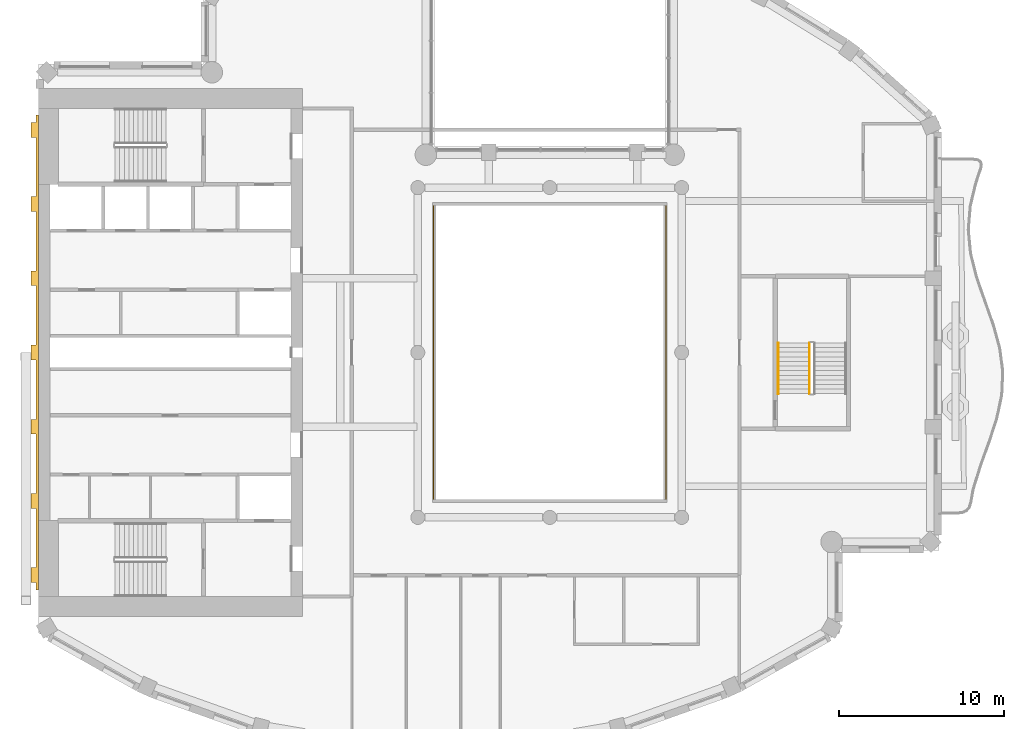
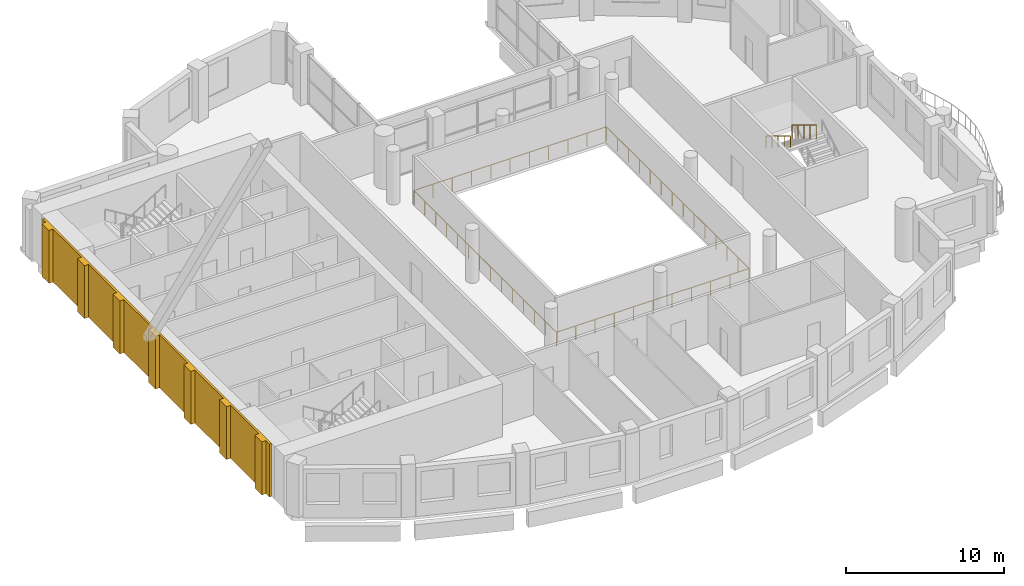
# One storey, part 12 of 15: 3 railings, 1 covering.
"""IFC4 building model written with IfcOpenShell, lengths in metres."""

import ifcopenshell
import ifcopenshell.guid

model = None  # the IFC model being written
_history = None  # IfcOwnerHistory: only IFC2X3 demands one
_inside = {}  # id of a spatial element -> (the spatial element, [elements in it])
_under = {}  # id of a project, library or spatial element -> (it, [spatial elements below it])
_declared = {}  # id of a project -> (the project, [libraries it declares])
_typed = {}  # id of a type object -> (the type object, [elements of that type])
_made_of = {}  # id of a material, layer set ... -> (it, [elements and type objects made of it])


def new_model(schema):
    """Start an empty IFC model of exactly this schema.

    Asked for "IFC4X3", IfcOpenShell would pick the latest addendum, in which some entities
    have other attributes; the version numbers below select the first issue.
    IFC2X3 requires an IfcOwnerHistory on every rooted entity: one is made here for all.
    """
    global model, _history
    if schema == "IFC4X3":
        model = ifcopenshell.file(schema_version=(4, 3, 0, 0))
    else:
        model = ifcopenshell.file(schema=schema)
    _inside.clear()
    _under.clear()
    _declared.clear()
    _typed.clear()
    _made_of.clear()
    _history = None
    if model.schema == "IFC2X3":
        org = make("IfcOrganization", Name="unknown")
        user = make(
            "IfcPersonAndOrganization",
            ThePerson=make("IfcPerson", FamilyName="unknown"),
            TheOrganization=org,
        )
        app = make(
            "IfcApplication",
            ApplicationDeveloper=org,
            Version="unknown",
            ApplicationFullName="unknown",
            ApplicationIdentifier="unknown",
        )
        _history = make(
            "IfcOwnerHistory",
            OwningUser=user,
            OwningApplication=app,
            ChangeAction="ADDED",
            CreationDate=0,
        )
    return model


def make(cls, **values):
    """One entity of the class cls with the attributes given. An attribute that is None is left unset."""
    return model.create_entity(
        cls, **{name: value for name, value in values.items() if value is not None}
    )


def rooted(cls, **values):
    """An entity with a GlobalId (a new one), such as an element, a storey or a relation."""
    return make(cls, GlobalId=ifcopenshell.guid.new(), OwnerHistory=_history, **values)


def si_unit(unit_type, name, prefix=None):
    """IfcSIUnit, for example si_unit("LENGTHUNIT", "METRE", prefix="MILLI")."""
    return make("IfcSIUnit", UnitType=unit_type, Prefix=prefix, Name=name)


def assignment(units):
    """IfcUnitAssignment: the units of a project."""
    return None if units is None else make("IfcUnitAssignment", Units=units)


def point(xyz):
    """IfcCartesianPoint."""
    return None if xyz is None else make("IfcCartesianPoint", Coordinates=xyz)


def direction(xyz):
    """IfcDirection."""
    return None if xyz is None else make("IfcDirection", DirectionRatios=xyz)


def frame(location, z_axis=None, x_axis=None):
    """IfcAxis2Placement3D, a coordinate frame: its origin and axes. An axis left out is left unset."""
    return make(
        "IfcAxis2Placement3D",
        Location=point(location),
        Axis=direction(z_axis),
        RefDirection=direction(x_axis),
    )


def frame_2d(location, x_axis=None):
    """IfcAxis2Placement2D, a coordinate frame in the plane: its origin and x axis."""
    return make(
        "IfcAxis2Placement2D", Location=point(location), RefDirection=direction(x_axis)
    )


def origin():
    """The frame at (0, 0, 0) with its axes left unset."""
    return frame((0.0, 0.0, 0.0))


def origin_2d():
    """The frame at (0, 0) in the plane with its x axis left unset."""
    return frame_2d((0.0, 0.0))


def place(relative_to, where):
    """IfcLocalPlacement: puts the frame where relative to a parent placement (None: the world)."""
    return make(
        "IfcLocalPlacement", PlacementRelTo=relative_to, RelativePlacement=where
    )


def context(
    kind, dimensions, precision=None, world=None, true_north=None, identifier=None
):
    """IfcGeometricRepresentationContext, for example the 3D "Model" context."""
    return make(
        "IfcGeometricRepresentationContext",
        ContextIdentifier=identifier,
        ContextType=kind,
        CoordinateSpaceDimension=dimensions,
        Precision=precision,
        WorldCoordinateSystem=world,
        TrueNorth=true_north,
    )


def subcontext(parent, identifier, kind, view, scale=None):
    """IfcGeometricRepresentationSubContext, for example "Body" below "Model"."""
    return make(
        "IfcGeometricRepresentationSubContext",
        ContextIdentifier=identifier,
        ContextType=kind,
        ParentContext=parent,
        TargetScale=scale,
        TargetView=view,
    )


def project(units=None, contexts=None):
    """IfcProject with its units and contexts."""
    return rooted(
        "IfcProject",
        Name="project",
        RepresentationContexts=contexts,
        UnitsInContext=assignment(units),
    )


def spatial(cls, under=None, at=None, **own):
    """A site, building, storey or space (cls), placed at a placement, below another one or the project."""
    s = rooted(cls, ObjectPlacement=at, **own)
    if under is not None:
        _under.setdefault(under.id(), (under, []))[1].append(s)
    return s


def polyline(points):
    """IfcPolyline through the points."""
    return make("IfcPolyline", Points=[point(p) for p in points])


def profile(cls, at=None, kind="AREA", **sizes):
    """A parametric profile (cls). Its sizes go by their IFC names, for example OverallWidth=200.0."""
    return make(cls, ProfileType=kind, Position=at, **sizes)


def rectangle(**sizes):
    """IfcRectangleProfileDef."""
    return profile("IfcRectangleProfileDef", **sizes)


def outline(outer, holes=None, kind="AREA"):
    """IfcArbitraryClosedProfileDef: a profile drawn as a closed curve; with holes, ...WithVoids."""
    if holes is None:
        return make("IfcArbitraryClosedProfileDef", ProfileType=kind, OuterCurve=outer)
    return make(
        "IfcArbitraryProfileDefWithVoids",
        ProfileType=kind,
        OuterCurve=outer,
        InnerCurves=holes,
    )


def extrude(swept, where, along, depth):
    """IfcExtrudedAreaSolid: the profile swept, set in the frame where, extruded along a direction by depth."""
    return make(
        "IfcExtrudedAreaSolid",
        SweptArea=swept,
        Position=where,
        ExtrudedDirection=direction(along),
        Depth=depth,
    )


def shape(context_of_items, identifier, shape_type, items):
    """IfcShapeRepresentation: the items that make up one representation, for example the "Body"."""
    return make(
        "IfcShapeRepresentation",
        ContextOfItems=context_of_items,
        RepresentationIdentifier=identifier,
        RepresentationType=shape_type,
        Items=items,
    )


def material(Name=None, Category=None):
    """IfcMaterial."""
    return make("IfcMaterial", Name=Name, Category=Category)


def layer(
    of_material, thickness, ventilated=None, Name=None, Category=None, Priority=None
):
    """IfcMaterialLayer: one layer of a wall or slab, of a material (None: an air gap)."""
    return make(
        "IfcMaterialLayer",
        Material=of_material,
        LayerThickness=thickness,
        IsVentilated=ventilated,
        Name=Name,
        Category=Category,
        Priority=Priority,
    )


def layer_set(layers, Name=None):
    """IfcMaterialLayerSet."""
    return make("IfcMaterialLayerSet", MaterialLayers=layers, LayerSetName=Name)


def made_of(thing, what):
    """Note that an element or type object is made of a material, layer set ...; save() writes the relation."""
    if what is not None:
        _made_of.setdefault(what.id(), (what, []))[1].append(thing)
    return thing


def type_object(cls, material=None, **own):
    """A type object (cls), such as IfcWallType, which elements share."""
    return made_of(rooted(cls, **own), material)


def element(
    cls,
    number,
    at=None,
    inside=None,
    cuts=None,
    type_object=None,
    material=None,
    context=None,
    identifier="Body",
    shape_type=None,
    held_by="IfcProductDefinitionShape",
    body=None,
    shapes=None,
    **own,
):
    """One element of the class cls, such as IfcWall. Its Tag is "e" and its number.

    at: its placement. inside: the storey or other place that contains it. cuts: it is an
    opening in that element (IfcRelVoidsElement). A single representation is given by context,
    identifier, shape_type and body (its items); several are given by shapes. held_by: the class
    of the entity that holds the representations. save() writes the other relations.
    """
    e = rooted(cls, Tag="e%d" % number, ObjectPlacement=at, **own)
    if body is not None:
        shapes = [shape(context, identifier, shape_type, body)]
    if shapes is not None:
        e.Representation = make(held_by, Representations=shapes)
    if inside is not None:
        _inside.setdefault(inside.id(), (inside, []))[1].append(e)
    if cuts is not None:
        rooted(
            "IfcRelVoidsElement", RelatingBuildingElement=cuts, RelatedOpeningElement=e
        )
    if type_object is not None:
        _typed.setdefault(type_object.id(), (type_object, []))[1].append(e)
    return made_of(e, material)


def aggregate(whole, parts):
    """IfcRelAggregates: a whole, such as a stair, and the parts it consists of."""
    return rooted("IfcRelAggregates", RelatingObject=whole, RelatedObjects=parts)


def save(model, path):
    """Write the relations noted so far, then the file.

    IfcRelAggregates (storeys below a building ...), IfcRelContainedInSpatialStructure (elements
    in a storey), IfcRelDefinesByType, IfcRelAssociatesMaterial and IfcRelDeclares: one each for
    every whole, place, type object, material and project.
    """
    for whole, parts in _under.values():
        aggregate(whole, parts)
    for where, things in _inside.values():
        rooted(
            "IfcRelContainedInSpatialStructure",
            RelatedElements=things,
            RelatingStructure=where,
        )
    for kind, things in _typed.values():
        rooted("IfcRelDefinesByType", RelatedObjects=things, RelatingType=kind)
    for what, things in _made_of.values():
        rooted("IfcRelAssociatesMaterial", RelatedObjects=things, RelatingMaterial=what)
    for by, libraries in _declared.values():
        rooted("IfcRelDeclares", RelatingContext=by, RelatedDefinitions=libraries)
    model.write(path)


model = new_model("IFC4")

# Units and contexts
model_context = context("Model", 3, precision=1e-05, world=origin(), true_north=direction((0.0, 1.0)))
body_context = subcontext(model_context, "Body", "Model", "MODEL_VIEW")
ifc_project = project(units=[si_unit("LENGTHUNIT", "METRE"), si_unit("AREAUNIT", "SQUARE_METRE"), si_unit("VOLUMEUNIT", "CUBIC_METRE"), si_unit("PLANEANGLEUNIT", "RADIAN"), si_unit("MASSUNIT", "GRAM", prefix="KILO")], contexts=[model_context])

# Site, building, storey
site_placement = place(None, origin())
site = spatial("IfcSite", under=ifc_project, at=site_placement, CompositionType="ELEMENT")
building_placement = place(site_placement, origin())
building = spatial("IfcBuilding", under=site, at=building_placement, Name="Cypress Arch Tower", CompositionType="ELEMENT")
storey_placement = place(building_placement, frame((0.0, 0.0, 259.800048828125)))
storey = spatial("IfcBuildingStorey", under=building, at=storey_placement, Name="L58", CompositionType="ELEMENT", Elevation=259.800048828125)

# Railings
ifc_material_1 = material(Name="Stainless steel posts and handrail, laminated glass infill", Category="steel")
railing_type_1 = type_object("IfcRailingType", Name="Atrium guard GR1100A", PredefinedType="GUARDRAIL", material=ifc_material_1)
railing_1_placement = place(storey_placement, frame((8.050048828125, -9.050048828125, 0.0)))
element("IfcRailing", 1, at=railing_1_placement, inside=storey, type_object=railing_type_1, Name="Atrium guard L58", PredefinedType="GUARDRAIL", context=body_context, shape_type="SweptSolid", body=[
    extrude(rectangle(XDim=0.050048828125, YDim=0.050048828125, at=origin_2d()), frame((0.0, 0.0, 1.0751953125), z_axis=(-1.0, 0.0, 0.0), x_axis=(0.0, -1.0, 0.0)), (0.0, 0.0, 1.0), 14.10009765625),
    extrude(rectangle(XDim=0.050048828125, YDim=0.050048828125, at=origin_2d()), frame((-14.10009765625, 0.0, 1.0751953125), z_axis=(0.0, 1.0, 0.0), x_axis=(-1.0, 0.0, 0.0)), (0.0, 0.0, 1.0), 18.10009765625),
    extrude(rectangle(XDim=0.050048828125, YDim=0.050048828125, at=origin_2d()), frame((-14.10009765625, 18.10009765625, 1.0751953125), z_axis=(1.0, 0.0, 0.0), x_axis=(0.0, 1.0, 0.0)), (0.0, 0.0, 1.0), 14.10009765625),
    extrude(rectangle(XDim=0.050048828125, YDim=0.050048828125, at=origin_2d()), frame((0.0, 18.10009765625, 1.0751953125), z_axis=(0.0, -1.0, 0.0), x_axis=(1.0, 0.0, 0.0)), (0.0, 0.0, 1.0), 18.10009765625),
    extrude(rectangle(XDim=0.050048828125, YDim=0.050048828125, at=origin_2d()), origin(), (0.0, 0.0, 1.0), 1.050048828125),
    extrude(rectangle(XDim=0.050048828125, YDim=0.050048828125, at=origin_2d()), frame((-1.409912109375, 0.0, 0.0)), (0.0, 0.0, 1.0), 1.050048828125),
    extrude(rectangle(XDim=0.050048828125, YDim=0.050048828125, at=origin_2d()), frame((-2.820068359375, 0.0, 0.0)), (0.0, 0.0, 1.0), 1.050048828125),
    extrude(rectangle(XDim=0.050048828125, YDim=0.050048828125, at=origin_2d()), frame((-4.22998046875, 0.0, 0.0)), (0.0, 0.0, 1.0), 1.050048828125),
    extrude(rectangle(XDim=0.050048828125, YDim=0.050048828125, at=origin_2d()), frame((-5.64013671875, 0.0, 0.0)), (0.0, 0.0, 1.0), 1.050048828125),
    extrude(rectangle(XDim=0.050048828125, YDim=0.050048828125, at=origin_2d()), frame((-7.050048828125, 0.0, 0.0)), (0.0, 0.0, 1.0), 1.050048828125),
    extrude(rectangle(XDim=0.050048828125, YDim=0.050048828125, at=origin_2d()), frame((-8.4599609375, 0.0, 0.0)), (0.0, 0.0, 1.0), 1.050048828125),
    extrude(rectangle(XDim=0.050048828125, YDim=0.050048828125, at=origin_2d()), frame((-9.8701171875, 0.0, 0.0)), (0.0, 0.0, 1.0), 1.050048828125),
    extrude(rectangle(XDim=0.050048828125, YDim=0.050048828125, at=origin_2d()), frame((-11.280029296875, 0.0, 0.0)), (0.0, 0.0, 1.0), 1.050048828125),
    extrude(rectangle(XDim=0.050048828125, YDim=0.050048828125, at=origin_2d()), frame((-12.690185546875, 0.0, 0.0)), (0.0, 0.0, 1.0), 1.050048828125),
    extrude(rectangle(XDim=0.050048828125, YDim=0.050048828125, at=origin_2d()), frame((-14.10009765625, 0.0, 0.0)), (0.0, 0.0, 1.0), 1.050048828125),
    extrude(rectangle(XDim=0.050048828125, YDim=0.050048828125, at=origin_2d()), frame((-14.10009765625, 1.392333984375, 0.0)), (0.0, 0.0, 1.0), 1.050048828125),
    extrude(rectangle(XDim=0.050048828125, YDim=0.050048828125, at=origin_2d()), frame((-14.10009765625, 2.78466796875, 0.0)), (0.0, 0.0, 1.0), 1.050048828125),
    extrude(rectangle(XDim=0.050048828125, YDim=0.050048828125, at=origin_2d()), frame((-14.10009765625, 4.177001953125, 0.0)), (0.0, 0.0, 1.0), 1.050048828125),
    extrude(rectangle(XDim=0.050048828125, YDim=0.050048828125, at=origin_2d()), frame((-14.10009765625, 5.5693359375, 0.0)), (0.0, 0.0, 1.0), 1.050048828125),
    extrude(rectangle(XDim=0.050048828125, YDim=0.050048828125, at=origin_2d()), frame((-14.10009765625, 6.961669921875, 0.0)), (0.0, 0.0, 1.0), 1.050048828125),
    extrude(rectangle(XDim=0.050048828125, YDim=0.050048828125, at=origin_2d()), frame((-14.10009765625, 8.35400390625, 0.0)), (0.0, 0.0, 1.0), 1.050048828125),
    extrude(rectangle(XDim=0.050048828125, YDim=0.050048828125, at=origin_2d()), frame((-14.10009765625, 9.74609375, 0.0)), (0.0, 0.0, 1.0), 1.050048828125),
    extrude(rectangle(XDim=0.050048828125, YDim=0.050048828125, at=origin_2d()), frame((-14.10009765625, 11.138427734375, 0.0)), (0.0, 0.0, 1.0), 1.050048828125),
    extrude(rectangle(XDim=0.050048828125, YDim=0.050048828125, at=origin_2d()), frame((-14.10009765625, 12.53076171875, 0.0)), (0.0, 0.0, 1.0), 1.050048828125),
    extrude(rectangle(XDim=0.050048828125, YDim=0.050048828125, at=origin_2d()), frame((-14.10009765625, 13.923095703125, 0.0)), (0.0, 0.0, 1.0), 1.050048828125),
    extrude(rectangle(XDim=0.050048828125, YDim=0.050048828125, at=origin_2d()), frame((-14.10009765625, 15.3154296875, 0.0)), (0.0, 0.0, 1.0), 1.050048828125),
    extrude(rectangle(XDim=0.050048828125, YDim=0.050048828125, at=origin_2d()), frame((-14.10009765625, 16.707763671875, 0.0)), (0.0, 0.0, 1.0), 1.050048828125),
    extrude(rectangle(XDim=0.050048828125, YDim=0.050048828125, at=origin_2d()), frame((-14.10009765625, 18.10009765625, 0.0)), (0.0, 0.0, 1.0), 1.050048828125),
    extrude(rectangle(XDim=0.050048828125, YDim=0.050048828125, at=origin_2d()), frame((-12.690185546875, 18.10009765625, 0.0)), (0.0, 0.0, 1.0), 1.050048828125),
    extrude(rectangle(XDim=0.050048828125, YDim=0.050048828125, at=origin_2d()), frame((-11.280029296875, 18.10009765625, 0.0)), (0.0, 0.0, 1.0), 1.050048828125),
    extrude(rectangle(XDim=0.050048828125, YDim=0.050048828125, at=origin_2d()), frame((-9.8701171875, 18.10009765625, 0.0)), (0.0, 0.0, 1.0), 1.050048828125),
    extrude(rectangle(XDim=0.050048828125, YDim=0.050048828125, at=origin_2d()), frame((-8.4599609375, 18.10009765625, 0.0)), (0.0, 0.0, 1.0), 1.050048828125),
    extrude(rectangle(XDim=0.050048828125, YDim=0.050048828125, at=origin_2d()), frame((-7.050048828125, 18.10009765625, 0.0)), (0.0, 0.0, 1.0), 1.050048828125),
    extrude(rectangle(XDim=0.050048828125, YDim=0.050048828125, at=origin_2d()), frame((-5.64013671875, 18.10009765625, 0.0)), (0.0, 0.0, 1.0), 1.050048828125),
    extrude(rectangle(XDim=0.050048828125, YDim=0.050048828125, at=origin_2d()), frame((-4.22998046875, 18.10009765625, 0.0)), (0.0, 0.0, 1.0), 1.050048828125),
    extrude(rectangle(XDim=0.050048828125, YDim=0.050048828125, at=origin_2d()), frame((-2.820068359375, 18.10009765625, 0.0)), (0.0, 0.0, 1.0), 1.050048828125),
    extrude(rectangle(XDim=0.050048828125, YDim=0.050048828125, at=origin_2d()), frame((-1.409912109375, 18.10009765625, 0.0)), (0.0, 0.0, 1.0), 1.050048828125),
    extrude(rectangle(XDim=0.050048828125, YDim=0.050048828125, at=origin_2d()), frame((0.0, 18.10009765625, 0.0)), (0.0, 0.0, 1.0), 1.050048828125),
    extrude(rectangle(XDim=0.050048828125, YDim=0.050048828125, at=origin_2d()), frame((0.0, 16.707763671875, 0.0)), (0.0, 0.0, 1.0), 1.050048828125),
    extrude(rectangle(XDim=0.050048828125, YDim=0.050048828125, at=origin_2d()), frame((0.0, 15.3154296875, 0.0)), (0.0, 0.0, 1.0), 1.050048828125),
    extrude(rectangle(XDim=0.050048828125, YDim=0.050048828125, at=origin_2d()), frame((0.0, 13.923095703125, 0.0)), (0.0, 0.0, 1.0), 1.050048828125),
    extrude(rectangle(XDim=0.050048828125, YDim=0.050048828125, at=origin_2d()), frame((0.0, 12.53076171875, 0.0)), (0.0, 0.0, 1.0), 1.050048828125),
    extrude(rectangle(XDim=0.050048828125, YDim=0.050048828125, at=origin_2d()), frame((0.0, 11.138427734375, 0.0)), (0.0, 0.0, 1.0), 1.050048828125),
    extrude(rectangle(XDim=0.050048828125, YDim=0.050048828125, at=origin_2d()), frame((0.0, 9.74609375, 0.0)), (0.0, 0.0, 1.0), 1.050048828125),
    extrude(rectangle(XDim=0.050048828125, YDim=0.050048828125, at=origin_2d()), frame((0.0, 8.35400390625, 0.0)), (0.0, 0.0, 1.0), 1.050048828125),
    extrude(rectangle(XDim=0.050048828125, YDim=0.050048828125, at=origin_2d()), frame((0.0, 6.961669921875, 0.0)), (0.0, 0.0, 1.0), 1.050048828125),
    extrude(rectangle(XDim=0.050048828125, YDim=0.050048828125, at=origin_2d()), frame((0.0, 5.5693359375, 0.0)), (0.0, 0.0, 1.0), 1.050048828125),
    extrude(rectangle(XDim=0.050048828125, YDim=0.050048828125, at=origin_2d()), frame((0.0, 4.177001953125, 0.0)), (0.0, 0.0, 1.0), 1.050048828125),
    extrude(rectangle(XDim=0.050048828125, YDim=0.050048828125, at=origin_2d()), frame((0.0, 2.78466796875, 0.0)), (0.0, 0.0, 1.0), 1.050048828125),
    extrude(rectangle(XDim=0.050048828125, YDim=0.050048828125, at=origin_2d()), frame((0.0, 1.392333984375, 0.0)), (0.0, 0.0, 1.0), 1.050048828125),
])
ifc_material_2 = material(Name="Black powder-coated steel square bar 48 mm", Category="steel")
railing_type_2 = type_object("IfcRailingType", Name="Stair handrail HR1", PredefinedType="HANDRAIL", material=ifc_material_2)
railing_2_placement = place(storey_placement, frame((14.85009765625, 0.580078125, 2.220703125)))
element("IfcRailing", 2, at=railing_2_placement, inside=storey, type_object=railing_type_2, Name="L58 C stair handrail 2", PredefinedType="HANDRAIL", context=body_context, shape_type="SweptSolid", body=[
    extrude(rectangle(XDim=0.048095703125, YDim=0.048095703125, at=origin_2d()), frame((0.0, 0.0, 0.8759765625), z_axis=(0.0, -0.853666305674, 0.52082035152), x_axis=(1.0, 0.0, 0.0)), (0.0, 0.0, 1.0), 3.608154296875),
    extrude(rectangle(XDim=0.0419921875, YDim=0.0419921875, at=origin_2d()), origin(), (0.0, 0.0, 1.0), 0.851806640625),
    extrude(rectangle(XDim=0.0419921875, YDim=0.0419921875, at=origin_2d()), frame((0.0, -0.77001953125, 0.4697265625)), (0.0, 0.0, 1.0), 0.851806640625),
    extrude(rectangle(XDim=0.0419921875, YDim=0.0419921875, at=origin_2d()), frame((0.0, -1.5400390625, 0.939453125)), (0.0, 0.0, 1.0), 0.851806640625),
    extrude(rectangle(XDim=0.0419921875, YDim=0.0419921875, at=origin_2d()), frame((0.0, -2.31005859375, 1.409423828125)), (0.0, 0.0, 1.0), 0.851806640625),
    extrude(rectangle(XDim=0.0419921875, YDim=0.0419921875, at=origin_2d()), frame((0.0, -3.080078125, 1.879150390625)), (0.0, 0.0, 1.0), 0.851806640625),
])
ifc_material_3 = material(Name="Black powder-coated steel balusters", Category="steel")
railing_type_3 = type_object("IfcRailingType", Name="Stair well guard G1", PredefinedType="GUARDRAIL", material=ifc_material_3)
railing_3_placement = place(storey_placement, frame((16.75, 0.580078125, 2.220703125)))
element("IfcRailing", 3, at=railing_3_placement, inside=storey, type_object=railing_type_3, Name="L58 C stair guard 3", PredefinedType="GUARDRAIL", context=body_context, shape_type="SweptSolid", body=[
    extrude(rectangle(XDim=0.048095703125, YDim=0.048095703125, at=origin_2d()), frame((0.0, 0.0, 1.076171875), z_axis=(0.0, -0.853666305674, 0.52082035152), x_axis=(1.0, 0.0, 0.0)), (0.0, 0.0, 1.0), 3.608154296875),
    extrude(rectangle(XDim=0.0419921875, YDim=0.0419921875, at=origin_2d()), origin(), (0.0, 0.0, 1.0), 1.052001953125),
    extrude(rectangle(XDim=0.0419921875, YDim=0.0419921875, at=origin_2d()), frame((0.0, -0.77001953125, 0.4697265625)), (0.0, 0.0, 1.0), 1.052001953125),
    extrude(rectangle(XDim=0.0419921875, YDim=0.0419921875, at=origin_2d()), frame((0.0, -1.5400390625, 0.939453125)), (0.0, 0.0, 1.0), 1.052001953125),
    extrude(rectangle(XDim=0.0419921875, YDim=0.0419921875, at=origin_2d()), frame((0.0, -2.31005859375, 1.409423828125)), (0.0, 0.0, 1.0), 1.052001953125),
    extrude(rectangle(XDim=0.0419921875, YDim=0.0419921875, at=origin_2d()), frame((0.0, -3.080078125, 1.879150390625)), (0.0, 0.0, 1.0), 1.052001953125),
])

# Covering
ifc_material_4 = material(Name="Brick (red buff blend)", Category="masonry")
ifc_layer = layer(ifc_material_4, 0.449951171875)
ifc_layer_set = layer_set([ifc_layer], Name="West face brick piers WP450")
covering_type = type_object("IfcCoveringType", Name="West face brick piers WP450", PredefinedType="CLADDING", material=ifc_layer_set)
covering_placement = place(storey_placement, origin())
element("IfcCovering", 4, at=covering_placement, inside=storey, type_object=covering_type, Name="West face brick piers L58", PredefinedType="CLADDING", context=body_context, shape_type="SweptSolid", body=[
    extrude(outline(polyline([(-30.14990234375, -13.050048828125), (-30.14990234375, -9.449951171875), (-30.449951171875, -9.449951171875), (-30.449951171875, -8.550048828125), (-30.14990234375, -8.550048828125), (-30.14990234375, -4.949951171875), (-30.449951171875, -4.949951171875), (-30.449951171875, -4.050048828125), (-30.14990234375, -4.050048828125), (-30.14990234375, -0.449951171875), (-30.449951171875, -0.449951171875), (-30.449951171875, 0.449951171875), (-30.14990234375, 0.449951171875), (-30.14990234375, 4.050048828125), (-30.449951171875, 4.050048828125), (-30.449951171875, 4.949951171875), (-30.14990234375, 4.949951171875), (-30.14990234375, 8.550048828125), (-30.449951171875, 8.550048828125), (-30.449951171875, 9.449951171875), (-30.14990234375, 9.449951171875), (-30.14990234375, 13.050048828125), (-30.449951171875, 13.050048828125), (-30.449951171875, 13.949951171875), (-30.14990234375, 13.949951171875), (-30.14990234375, 14.39990234375), (-30.0, 14.39990234375), (-30.0, -14.39990234375), (-30.14990234375, -14.39990234375), (-30.14990234375, -13.949951171875), (-30.449951171875, -13.949951171875), (-30.449951171875, -13.050048828125), (-30.14990234375, -13.050048828125)])), origin(), (0.0, 0.0, 1.0), 4.099853515625),
])

save(model, "model.ifc")
